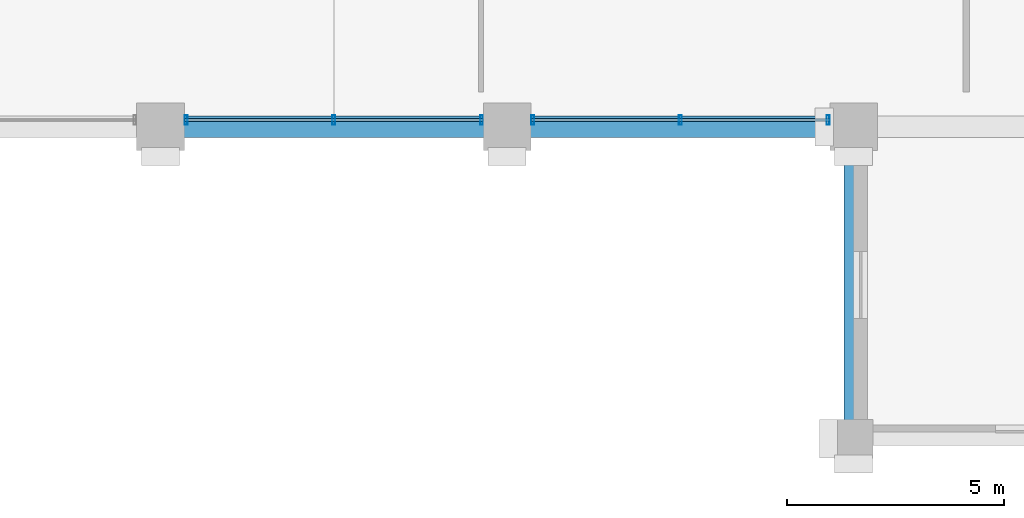
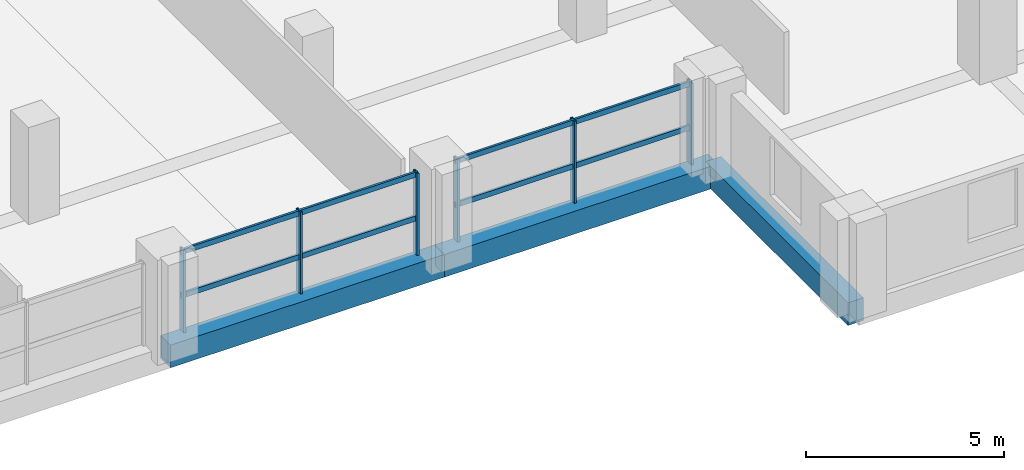
# One storey, part 6 of 21: 10 members, 3 beams, 2 elements without a shape of their own.
"""IFC4 building model written with IfcOpenShell, lengths in metres."""

from ifc_helpers import new_model, si_unit, direction, frame, origin, origin_2d, place, context, subcontext, project, spatial, rectangle, hollow_rectangle, extrude, material, material_profile, profile_set, type_object, element, aggregate, save


model = new_model("IFC4")

# Units and contexts
model_context = context("Model", 3, precision=1e-05, world=origin(), true_north=direction((0.0, 1.0)))
body_context = subcontext(model_context, "Body", "Model", "MODEL_VIEW")
ifc_project = project(units=[si_unit("LENGTHUNIT", "METRE"), si_unit("AREAUNIT", "SQUARE_METRE"), si_unit("VOLUMEUNIT", "CUBIC_METRE"), si_unit("PLANEANGLEUNIT", "RADIAN"), si_unit("MASSUNIT", "GRAM", prefix="KILO")], contexts=[model_context])

# Site, building, storey
site_placement = place(None, origin())
site = spatial("IfcSite", under=ifc_project, at=site_placement, CompositionType="ELEMENT")
building_placement = place(site_placement, origin())
building = spatial("IfcBuilding", under=site, at=building_placement, Name="Akrevak Sports Hall", CompositionType="ELEMENT")
storey_placement = place(building_placement, frame((0.0, 0.0, 27.550048828125)))
storey = spatial("IfcBuildingStorey", under=building, at=storey_placement, Name="L05", CompositionType="ELEMENT", Elevation=27.550048828125)

# Curtain wall, members
ifc_material_1 = material(Name="Anodized Bronze Aluminium & Low-E Glass", Category="aluminium")
curtain_wall_type = type_object("IfcCurtainWallType", Name="ARC-CW-TWR-68x30", PredefinedType="NOTDEFINED", material=ifc_material_1)
curtain_wall_1_placement = place(storey_placement, origin())
curtain_wall_1 = element("IfcCurtainWall", 1, at=curtain_wall_1_placement, inside=storey, type_object=curtain_wall_type, Name="Curtain Wall CW-L05-S06", PredefinedType="NOTDEFINED")
ifc_material_2 = material(Name="Anodized Bronze Aluminium", Category="aluminium")
ifc_material_profile_1 = material_profile(ifc_material_2, hollow_rectangle(XDim=0.06494140625, YDim=0.219970703125, WallThickness=0.00439453125, at=origin_2d()), Name="CWM 65x220", Category="aluminium")
ifc_profile_set_1 = profile_set([ifc_material_profile_1], Name="Anodized Bronze Aluminium")
member_type_1 = type_object("IfcMemberType", Name="ARC-CWM-70x160", PredefinedType="MULLION", material=ifc_profile_set_1)
member_1_placement = place(storey_placement, frame((76.590087890625, 28.9599609375, 0.0), z_axis=(0.0, 0.0, 1.0), x_axis=(1.0, 0.0, 0.0)))
member_1 = element("IfcMember", 2, at=member_1_placement, type_object=member_type_1, Name="Curtain Wall Mullion CW-L05-S06-M1", PredefinedType="MULLION", context=body_context, shape_type="SweptSolid", body=[
    extrude(hollow_rectangle(XDim=0.06494140625, YDim=0.219970703125, WallThickness=0.00439453125, at=origin_2d()), origin(), (0.0, 0.0, 1.0), 2.530029296875),
])
member_2_placement = place(storey_placement, frame((80.0, 28.9599609375, 0.0), z_axis=(0.0, 0.0, 1.0), x_axis=(1.0, 0.0, 0.0)))
member_2 = element("IfcMember", 3, at=member_2_placement, type_object=member_type_1, Name="Curtain Wall Mullion CW-L05-S06-M2", PredefinedType="MULLION", context=body_context, shape_type="SweptSolid", body=[
    extrude(hollow_rectangle(XDim=0.06494140625, YDim=0.219970703125, WallThickness=0.00439453125, at=origin_2d()), origin(), (0.0, 0.0, 1.0), 2.530029296875),
])
member_3_placement = place(storey_placement, frame((83.409912109375, 28.9599609375, 0.0), z_axis=(0.0, 0.0, 1.0), x_axis=(1.0, 0.0, 0.0)))
member_3 = element("IfcMember", 4, at=member_3_placement, type_object=member_type_1, Name="Curtain Wall Mullion CW-L05-S06-M3", PredefinedType="MULLION", context=body_context, shape_type="SweptSolid", body=[
    extrude(hollow_rectangle(XDim=0.06494140625, YDim=0.219970703125, WallThickness=0.00439453125, at=origin_2d()), origin(), (0.0, 0.0, 1.0), 2.530029296875),
])

curtain_wall_2_placement = place(storey_placement, origin())
curtain_wall_2 = element("IfcCurtainWall", 5, at=curtain_wall_2_placement, inside=storey, type_object=curtain_wall_type, Name="Curtain Wall CW-L05-S07", PredefinedType="NOTDEFINED")
member_4_placement = place(storey_placement, frame((84.590087890625, 28.9599609375, 0.0), z_axis=(0.0, 0.0, 1.0), x_axis=(1.0, 0.0, 0.0)))
member_4 = element("IfcMember", 6, at=member_4_placement, type_object=member_type_1, Name="Curtain Wall Mullion CW-L05-S07-M1", PredefinedType="MULLION", context=body_context, shape_type="SweptSolid", body=[
    extrude(hollow_rectangle(XDim=0.06494140625, YDim=0.219970703125, WallThickness=0.00439453125, at=origin_2d()), origin(), (0.0, 0.0, 1.0), 2.530029296875),
])
member_5_placement = place(storey_placement, frame((88.0, 28.9599609375, 0.0), z_axis=(0.0, 0.0, 1.0), x_axis=(1.0, 0.0, 0.0)))
member_5 = element("IfcMember", 7, at=member_5_placement, type_object=member_type_1, Name="Curtain Wall Mullion CW-L05-S07-M2", PredefinedType="MULLION", context=body_context, shape_type="SweptSolid", body=[
    extrude(hollow_rectangle(XDim=0.06494140625, YDim=0.219970703125, WallThickness=0.00439453125, at=origin_2d()), origin(), (0.0, 0.0, 1.0), 2.530029296875),
])
member_6_placement = place(storey_placement, frame((91.409912109375, 28.9599609375, 0.0), z_axis=(0.0, 0.0, 1.0), x_axis=(1.0, 0.0, 0.0)))
member_6 = element("IfcMember", 8, at=member_6_placement, type_object=member_type_1, Name="Curtain Wall Mullion CW-L05-S07-M3", PredefinedType="MULLION", context=body_context, shape_type="SweptSolid", body=[
    extrude(hollow_rectangle(XDim=0.06494140625, YDim=0.219970703125, WallThickness=0.00439453125, at=origin_2d()), origin(), (0.0, 0.0, 1.0), 2.530029296875),
])

# Member
ifc_material_profile_2 = material_profile(ifc_material_2, hollow_rectangle(XDim=0.06494140625, YDim=0.159912109375, WallThickness=0.00390625, at=origin_2d()), Name="CWT 65x160", Category="aluminium")
ifc_profile_set_2 = profile_set([ifc_material_profile_2], Name="Anodized Bronze Aluminium")
member_type_2 = type_object("IfcMemberType", Name="ARC-CWT-70x130", PredefinedType="USERDEFINED", material=ifc_profile_set_2)
member_7_placement = place(storey_placement, frame((76.550048828125, 28.9599609375, 1.099853515625), z_axis=(1.0, 0.0, 0.0), x_axis=(0.0, 1.0, 0.0)))
member_7 = element("IfcMember", 9, at=member_7_placement, type_object=member_type_2, Name="Curtain Wall Transom CW-L05-S06-T1", ObjectType="TRANSOM", PredefinedType="USERDEFINED", context=body_context, shape_type="SweptSolid", body=[
    extrude(hollow_rectangle(XDim=0.06494140625, YDim=0.159912109375, WallThickness=0.00390625, at=origin_2d()), origin(), (0.0, 0.0, 1.0), 6.89990234375),
])

member_8_placement = place(storey_placement, frame((76.550048828125, 28.9599609375, 2.449951171875), z_axis=(1.0, 0.0, 0.0), x_axis=(0.0, 1.0, 0.0)))
member_8 = element("IfcMember", 10, at=member_8_placement, type_object=member_type_2, Name="Curtain Wall Transom CW-L05-S06-T2", ObjectType="TRANSOM", PredefinedType="USERDEFINED", context=body_context, shape_type="SweptSolid", body=[
    extrude(hollow_rectangle(XDim=0.06494140625, YDim=0.159912109375, WallThickness=0.00390625, at=origin_2d()), origin(), (0.0, 0.0, 1.0), 6.89990234375),
])

aggregate(curtain_wall_1, [member_1, member_2, member_3, member_7, member_8])

member_9_placement = place(storey_placement, frame((84.550048828125, 28.9599609375, 1.099853515625), z_axis=(1.0, 0.0, 0.0), x_axis=(0.0, 1.0, 0.0)))
member_9 = element("IfcMember", 11, at=member_9_placement, type_object=member_type_2, Name="Curtain Wall Transom CW-L05-S07-T1", ObjectType="TRANSOM", PredefinedType="USERDEFINED", context=body_context, shape_type="SweptSolid", body=[
    extrude(hollow_rectangle(XDim=0.06494140625, YDim=0.159912109375, WallThickness=0.00390625, at=origin_2d()), origin(), (0.0, 0.0, 1.0), 6.89990234375),
])

member_10_placement = place(storey_placement, frame((84.550048828125, 28.9599609375, 2.449951171875), z_axis=(1.0, 0.0, 0.0), x_axis=(0.0, 1.0, 0.0)))
member_10 = element("IfcMember", 12, at=member_10_placement, type_object=member_type_2, Name="Curtain Wall Transom CW-L05-S07-T2", ObjectType="TRANSOM", PredefinedType="USERDEFINED", context=body_context, shape_type="SweptSolid", body=[
    extrude(hollow_rectangle(XDim=0.06494140625, YDim=0.159912109375, WallThickness=0.00390625, at=origin_2d()), origin(), (0.0, 0.0, 1.0), 6.89990234375),
])

aggregate(curtain_wall_2, [member_4, member_5, member_6, member_9, member_10])

# Beams
ifc_material_3 = material(Name="Concrete C40/50", Category="concrete")
ifc_material_profile_3 = material_profile(ifc_material_3, rectangle(XDim=0.449951171875, YDim=0.699951171875, at=origin_2d()), Name="BM 450x700", Category="concrete")
ifc_profile_set_3 = profile_set([ifc_material_profile_3], Name="Concrete C40/50")
beam_type_1 = type_object("IfcBeamType", Name="STR-BM-RC450x700", PredefinedType="BEAM", material=ifc_profile_set_3)
beam_placement = place(storey_placement, frame((92.0, 21.60009765625, -0.35009765625), z_axis=(0.0, 1.0, 0.0), x_axis=(-1.0, 0.0, 0.0)))
element("IfcBeam", 13, at=beam_placement, inside=storey, type_object=beam_type_1, Name="Girder 13/D-E (L05)", PredefinedType="BEAM", context=body_context, shape_type="SweptSolid", body=[
    extrude(rectangle(XDim=0.449951171875, YDim=0.699951171875, at=origin_2d()), origin(), (0.0, 0.0, 1.0), 7.199951171875),
])
ifc_material_profile_4 = material_profile(ifc_material_3, rectangle(XDim=0.5, YDim=0.699951171875, at=origin_2d()), Name="BM 500x700", Category="concrete")
ifc_profile_set_4 = profile_set([ifc_material_profile_4], Name="Concrete C40/50")
beam_type_2 = type_object("IfcBeamType", Name="STR-BM-RC500x700", PredefinedType="BEAM", material=ifc_profile_set_4)
for number, where, z_axis, x_axis, name in (
    (14, (76.0, 28.800048828125, -0.35009765625), (1.0, 0.0, 0.0), (0.0, 1.0, 0.0), "Girder E/11-12 (L05)"),
    (15, (84.0, 28.800048828125, -0.35009765625), (1.0, 0.0, 0.0), (0.0, 1.0, 0.0), "Girder E/12-13 (L05)"),
):
    element("IfcBeam", number, at=place(storey_placement, frame(where, z_axis=z_axis, x_axis=x_axis)), inside=storey, type_object=beam_type_2, Name=name, PredefinedType="BEAM", context=body_context, shape_type="SweptSolid", body=[
        extrude(rectangle(XDim=0.5, YDim=0.699951171875, at=origin_2d()), origin(), (0.0, 0.0, 1.0), 8.0),
    ])

save(model, "model.ifc")
